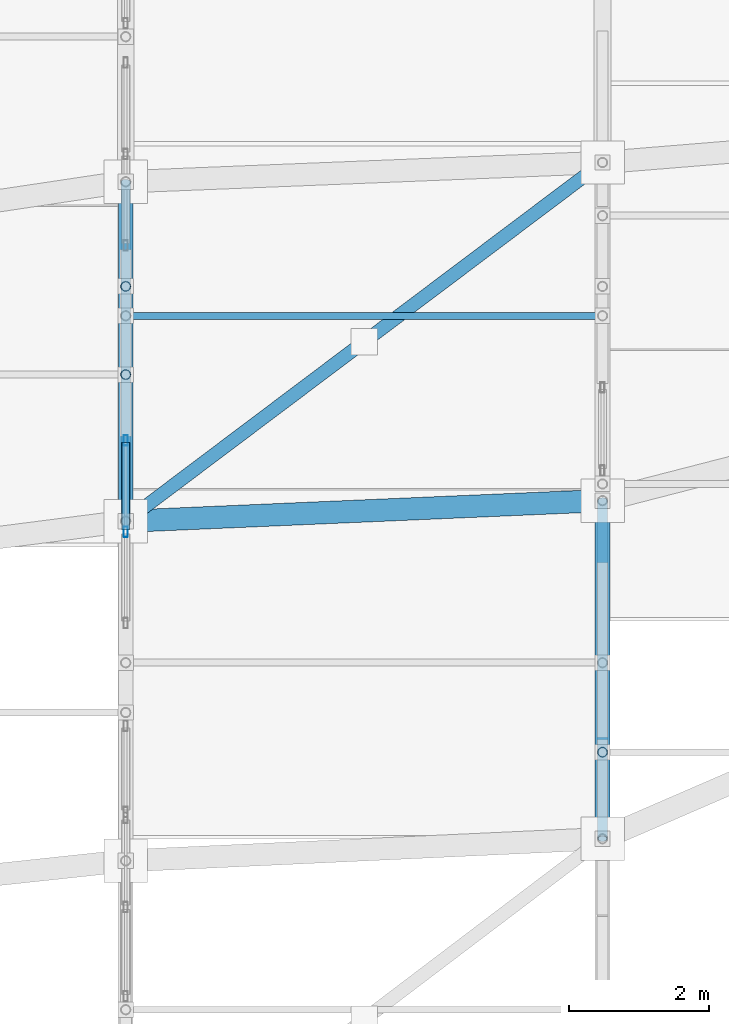
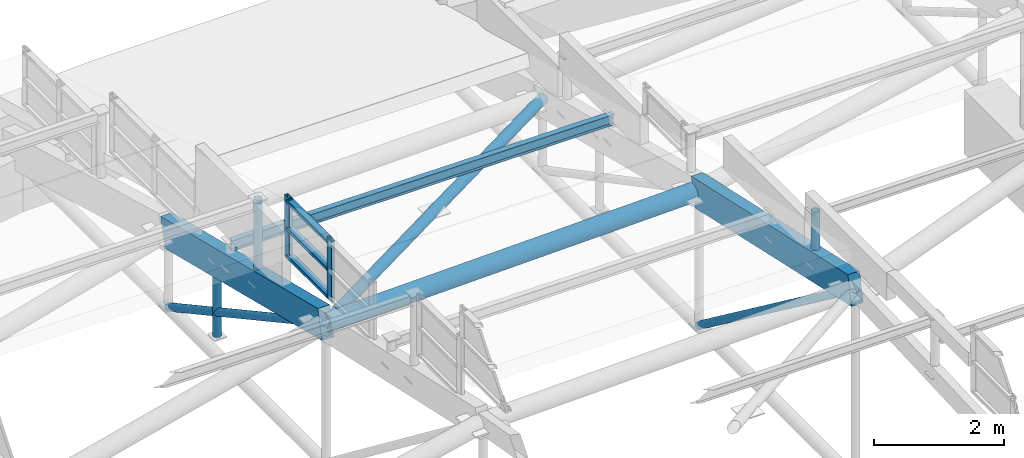
# One storey, part 95 of 188: 15 members, 1 element without a shape of its own.
"""IFC4 building model written with IfcOpenShell, lengths in metres."""

from ifc_helpers import new_model, si_unit, direction, frame, origin, origin_2d, place, context, subcontext, project, spatial, rectangle, hollow_rectangle, hollow_circle, i_section, extrude, material, layer, layer_set, material_profile, profile_set, type_object, element, aggregate, save


model = new_model("IFC4")

# Units and contexts
model_context = context("Model", 3, precision=1e-05, world=origin(), true_north=direction((0.0, 1.0)))
body_context = subcontext(model_context, "Body", "Model", "MODEL_VIEW")
ifc_project = project(units=[si_unit("LENGTHUNIT", "METRE"), si_unit("AREAUNIT", "SQUARE_METRE"), si_unit("VOLUMEUNIT", "CUBIC_METRE"), si_unit("PLANEANGLEUNIT", "RADIAN"), si_unit("MASSUNIT", "GRAM", prefix="KILO")], contexts=[model_context])

# Site, building, storey
site_placement = place(None, origin())
site = spatial("IfcSite", under=ifc_project, at=site_placement, CompositionType="ELEMENT")
building_placement = place(site_placement, origin())
building = spatial("IfcBuilding", under=site, at=building_placement, Name="Kisaragi Civic Commons", CompositionType="ELEMENT")
storey_placement = place(building_placement, frame((0.0, 0.0, 9.60009765625)))
storey = spatial("IfcBuildingStorey", under=building, at=storey_placement, Name="L02", CompositionType="ELEMENT", Elevation=9.60009765625)

# Member
ifc_material_1 = material(Name="Steel SN400 (SN400B)", Category="steel")
ifc_material_profile_1 = material_profile(ifc_material_1, hollow_circle(Radius=0.095458984375, WallThickness=0.006103515625, at=origin_2d()), Name="CHS-190.7x6.0", Category="steel")
ifc_profile_set_1 = profile_set([ifc_material_profile_1], Name="Steel SN400 (SN400B)")
member_type_1 = type_object("IfcMemberType", Name="BR-06", PredefinedType="BRACE", material=ifc_profile_set_1)
member_1_placement = place(storey_placement, frame((20.39990234375, 108.25048828125, 2.255615234375), z_axis=(0.790310368503, 0.594612576108, -0.14780191396), x_axis=(-0.601215738307, 0.799086751243, 0.0)))
element("IfcMember", 1, at=member_1_placement, inside=storey, type_object=member_type_1, Name="V2 roof wind brace 6", PredefinedType="BRACE", context=body_context, shape_type="SweptSolid", body=[
    extrude(hollow_circle(Radius=0.095458984375, WallThickness=0.006103515625, at=origin_2d()), origin(), (0.0, 0.0, 1.0), 8.604248046875),
])

# Curtain wall, members
ifc_material_2 = material(Name="Thermally broken anodized aluminium and low-E double glazing", Category="aluminium")
ifc_layer = layer(ifc_material_2, 0.14990234375, Name="Thermally broken anodized aluminium and low-E double glazing", Category="aluminium")
ifc_layer_set = layer_set([ifc_layer], Name="Thermally broken anodized aluminium and low-E double glazing")
curtain_wall_type = type_object("IfcCurtainWallType", Name="CW-03", PredefinedType="NOTDEFINED", material=ifc_layer_set)
curtain_wall_placement = place(storey_placement, origin())
curtain_wall = element("IfcCurtainWall", 2, at=curtain_wall_placement, inside=storey, type_object=curtain_wall_type, Name="L02 curtain wall CW-03 CW-CL-V2-200", PredefinedType="NOTDEFINED")
ifc_material_profile_2 = material_profile(ifc_material_2, hollow_rectangle(XDim=0.06005859375, YDim=0.14990234375, WallThickness=0.00390625, InnerFilletRadius=0.00390625, OuterFilletRadius=0.008056640625, at=origin_2d()), Name="CWM-60x150x4", Category="aluminium")
ifc_profile_set_2 = profile_set([ifc_material_profile_2], Name="Thermally broken anodized aluminium and low-E double glazing")
member_type_2 = type_object("IfcMemberType", Name="CWM-01", PredefinedType="MULLION", material=ifc_profile_set_2)
member_2_placement = place(storey_placement, frame((20.39990234375, 108.10107421875, 2.7822265625), z_axis=(0.0, 0.0, 1.0), x_axis=(-1.0, 0.0, 0.0)))
member_2 = element("IfcMember", 3, at=member_2_placement, type_object=member_type_2, Name="CW-03 mullion 2", PredefinedType="MULLION", context=body_context, shape_type="SweptSolid", body=[
    extrude(hollow_rectangle(XDim=0.06005859375, YDim=0.14990234375, WallThickness=0.00390625, InnerFilletRadius=0.00390625, OuterFilletRadius=0.008056640625, at=origin_2d()), origin(), (0.0, 0.0, 1.0), 1.151611328125),
])
member_3_placement = place(storey_placement, frame((20.39990234375, 109.4052734375, 2.7822265625), z_axis=(0.0, 0.0, 1.0), x_axis=(-1.0, 0.0, 0.0)))
member_3 = element("IfcMember", 4, at=member_3_placement, type_object=member_type_2, Name="CW-03 mullion 3", PredefinedType="MULLION", context=body_context, shape_type="SweptSolid", body=[
    extrude(hollow_rectangle(XDim=0.06005859375, YDim=0.14990234375, WallThickness=0.00390625, InnerFilletRadius=0.00390625, OuterFilletRadius=0.008056640625, at=origin_2d()), origin(), (0.0, 0.0, 1.0), 1.151611328125),
])
ifc_material_profile_3 = material_profile(ifc_material_2, hollow_rectangle(XDim=0.1201171875, YDim=0.06005859375, WallThickness=0.00390625, InnerFilletRadius=0.00390625, OuterFilletRadius=0.008056640625, at=origin_2d()), Name="CWT-60x120x4", Category="aluminium")
ifc_profile_set_3 = profile_set([ifc_material_profile_3], Name="Thermally broken anodized aluminium and low-E double glazing")
member_type_3 = type_object("IfcMemberType", Name="CWT-01", PredefinedType="USERDEFINED", material=ifc_profile_set_3)
member_4_placement = place(storey_placement, frame((20.39990234375, 108.131103515625, 2.84228515625), z_axis=(0.0, 1.0, 0.0), x_axis=(-1.0, 0.0, 0.0)))
member_4 = element("IfcMember", 5, at=member_4_placement, type_object=member_type_3, Name="CW-03 transom 2.1", ObjectType="TRANSOM", PredefinedType="USERDEFINED", context=body_context, shape_type="SweptSolid", body=[
    extrude(hollow_rectangle(XDim=0.1201171875, YDim=0.06005859375, WallThickness=0.00390625, InnerFilletRadius=0.00390625, OuterFilletRadius=0.008056640625, at=origin_2d()), origin(), (0.0, 0.0, 1.0), 1.244140625),
])
member_5_placement = place(storey_placement, frame((20.39990234375, 108.131103515625, 3.35791015625), z_axis=(0.0, 1.0, 0.0), x_axis=(-1.0, 0.0, 0.0)))
member_5 = element("IfcMember", 6, at=member_5_placement, type_object=member_type_3, Name="CW-03 transom 2.2", ObjectType="TRANSOM", PredefinedType="USERDEFINED", context=body_context, shape_type="SweptSolid", body=[
    extrude(hollow_rectangle(XDim=0.1201171875, YDim=0.06005859375, WallThickness=0.00390625, InnerFilletRadius=0.00390625, OuterFilletRadius=0.008056640625, at=origin_2d()), origin(), (0.0, 0.0, 1.0), 1.244140625),
])
member_6_placement = place(storey_placement, frame((20.39990234375, 108.131103515625, 3.8740234375), z_axis=(0.0, 1.0, 0.0), x_axis=(-1.0, 0.0, 0.0)))
member_6 = element("IfcMember", 7, at=member_6_placement, type_object=member_type_3, Name="CW-03 transom 2.3", ObjectType="TRANSOM", PredefinedType="USERDEFINED", context=body_context, shape_type="SweptSolid", body=[
    extrude(hollow_rectangle(XDim=0.1201171875, YDim=0.06005859375, WallThickness=0.00390625, InnerFilletRadius=0.00390625, OuterFilletRadius=0.008056640625, at=origin_2d()), origin(), (0.0, 0.0, 1.0), 1.244140625),
])
aggregate(curtain_wall, [member_2, member_3, member_4, member_5, member_6])

# Members
ifc_material_3 = material(Name="Steel SN490 (SN490B)", Category="steel")
ifc_material_profile_4 = material_profile(ifc_material_3, hollow_circle(Radius=0.1591796875, WallThickness=0.01025390625, at=origin_2d()), Name="CHS-318.5x10.3", Category="steel")
ifc_profile_set_4 = profile_set([ifc_material_profile_4], Name="Steel SN490 (SN490B)")
member_type_4 = type_object("IfcMemberType", Name="GC-03", PredefinedType="CHORD", material=ifc_profile_set_4)
member_7_placement = place(storey_placement, frame((20.39990234375, 108.25048828125, 2.255615234375), z_axis=(0.999012456315, 0.043255987589, -0.010150451482), x_axis=(-0.043258216129, 0.999063925251, 0.0)))
element("IfcMember", 8, at=member_7_placement, inside=storey, type_object=member_type_4, Name="V2 wave gridshell chord GC-03 27", PredefinedType="CHORD", context=body_context, shape_type="SweptSolid", body=[
    extrude(hollow_circle(Radius=0.1591796875, WallThickness=0.01025390625, at=origin_2d()), origin(), (0.0, 0.0, 1.0), 6.806884765625),
])
ifc_material_4 = material(Name="Glulam E120-F330", Category="wood")
ifc_material_profile_5 = material_profile(ifc_material_4, rectangle(XDim=0.2099609375, YDim=0.5400390625, at=origin_2d()), Name="GL-210x540", Category="wood")
ifc_profile_set_5 = profile_set([ifc_material_profile_5], Name="Glulam E120-F330")
member_type_5 = type_object("IfcMemberType", Name="GR-04", PredefinedType="RAFTER", material=ifc_profile_set_5)
member_8_placement = place(storey_placement, frame((20.39990234375, 108.25048828125, 2.255615234375), z_axis=(0.0, 0.970498394308, -0.241107583136), x_axis=(-1.0, 0.0, 0.0)))
element("IfcMember", 9, at=member_8_placement, inside=storey, type_object=member_type_5, Name="V2 glulam arch rib GR-04 31", PredefinedType="RAFTER", context=body_context, shape_type="SweptSolid", body=[
    extrude(rectangle(XDim=0.2099609375, YDim=0.5400390625, at=origin_2d()), origin(), (0.0, 0.0, 1.0), 4.989013671875),
])
member_9_placement = place(storey_placement, frame((27.199951171875, 103.723388671875, 3.25927734375), z_axis=(0.0, 0.976131204577, -0.217181655421), x_axis=(-1.0, 0.0, 0.0)))
element("IfcMember", 10, at=member_9_placement, inside=storey, type_object=member_type_5, Name="V2 glulam arch rib GR-04 38", PredefinedType="RAFTER", context=body_context, shape_type="SweptSolid", body=[
    extrude(rectangle(XDim=0.2099609375, YDim=0.5400390625, at=origin_2d()), origin(), (0.0, 0.0, 1.0), 4.939453125),
])
ifc_material_profile_6 = material_profile(ifc_material_1, i_section(OverallWidth=0.10009765625, OverallDepth=0.199951171875, WebThickness=0.005615234375, FlangeThickness=0.008056640625, FilletRadius=0.008056640625, at=origin_2d()), Name="H-200x100x5.5x8", Category="steel")
ifc_profile_set_6 = profile_set([ifc_material_profile_6], Name="Steel SN400 (SN400B)")
member_type_6 = type_object("IfcMemberType", Name="PR-02", PredefinedType="PURLIN", material=ifc_profile_set_6)
member_10_placement = place(storey_placement, frame((20.39990234375, 111.18115234375, 1.9482421875), z_axis=(1.0, 0.0, 0.0), x_axis=(0.0, 1.0, 0.0)))
element("IfcMember", 11, at=member_10_placement, inside=storey, type_object=member_type_6, Name="V2 wave vault steel purlin 31", PredefinedType="PURLIN", context=body_context, shape_type="SweptSolid", body=[
    extrude(i_section(OverallWidth=0.10009765625, OverallDepth=0.199951171875, WebThickness=0.005615234375, FlangeThickness=0.008056640625, FilletRadius=0.008056640625, at=origin_2d()), origin(), (0.0, 0.0, 1.0), 6.800048828125),
])
ifc_material_profile_7 = material_profile(ifc_material_3, hollow_circle(Radius=0.06982421875, WallThickness=0.006103515625, at=origin_2d()), Name="CHS-139.8x6.0", Category="steel")
ifc_profile_set_7 = profile_set([ifc_material_profile_7], Name="Steel SN490 (SN490B)")
member_type_7 = type_object("IfcMemberType", Name="ST-H1", PredefinedType="STRUT", material=ifc_profile_set_7)
member_11_placement = place(storey_placement, frame((20.39990234375, 113.09228515625, -0.385009765625), z_axis=(0.0, -0.877922639833, 0.478802504661), x_axis=(1.0, 0.0, 0.0)))
element("IfcMember", 12, at=member_11_placement, inside=storey, type_object=member_type_7, Name="V2 tied arch truss diagonal web strut 57", PredefinedType="STRUT", context=body_context, shape_type="SweptSolid", body=[
    extrude(hollow_circle(Radius=0.06982421875, WallThickness=0.006103515625, at=origin_2d()), origin(), (0.0, 0.0, 1.0), 5.51513671875),
])
member_12_placement = place(storey_placement, frame((27.199951171875, 108.544921875, -0.353271484375), z_axis=(0.0, -0.800286810694, 0.599617395202), x_axis=(1.0, 0.0, 0.0)))
element("IfcMember", 13, at=member_12_placement, inside=storey, type_object=member_type_7, Name="V2 tied arch truss diagonal web strut 70", PredefinedType="STRUT", context=body_context, shape_type="SweptSolid", body=[
    extrude(hollow_circle(Radius=0.06982421875, WallThickness=0.006103515625, at=origin_2d()), origin(), (0.0, 0.0, 1.0), 6.024658203125),
])
member_13_placement = place(storey_placement, frame((20.39990234375, 111.60009765625, -0.02001953125), z_axis=(0.0, 0.0, 1.0), x_axis=(1.0, 0.0, 0.0)))
element("IfcMember", 14, at=member_13_placement, inside=storey, type_object=member_type_7, Name="V2 interior column arch support post (20.4,111.6)", PredefinedType="STRUT", context=body_context, shape_type="SweptSolid", body=[
    extrude(hollow_circle(Radius=0.06982421875, WallThickness=0.006103515625, at=origin_2d()), origin(), (0.0, 0.0, 1.0), 1.443603515625),
])
member_14_placement = place(storey_placement, frame((20.39990234375, 110.342041015625, 1.736083984375), z_axis=(0.0, 0.0, 1.0), x_axis=(1.0, 0.0, 0.0)))
element("IfcMember", 15, at=member_14_placement, inside=storey, type_object=member_type_7, Name="V2 clerestory monitor horizontal tie strut 3.3.7", PredefinedType="STRUT", context=body_context, shape_type="SweptSolid", body=[
    extrude(hollow_circle(Radius=0.06982421875, WallThickness=0.006103515625, at=origin_2d()), origin(), (0.0, 0.0, 1.0), 1.59619140625),
])
member_15_placement = place(storey_placement, frame((27.199951171875, 104.957763671875, 2.984619140625), z_axis=(0.0, 0.0, 1.0), x_axis=(1.0, 0.0, 0.0)))
element("IfcMember", 16, at=member_15_placement, inside=storey, type_object=member_type_7, Name="V2 clerestory monitor horizontal tie strut 5.4.5", PredefinedType="STRUT", context=body_context, shape_type="SweptSolid", body=[
    extrude(hollow_circle(Radius=0.06982421875, WallThickness=0.006103515625, at=origin_2d()), origin(), (0.0, 0.0, 1.0), 1.0048828125),
])

save(model, "model.ifc")
